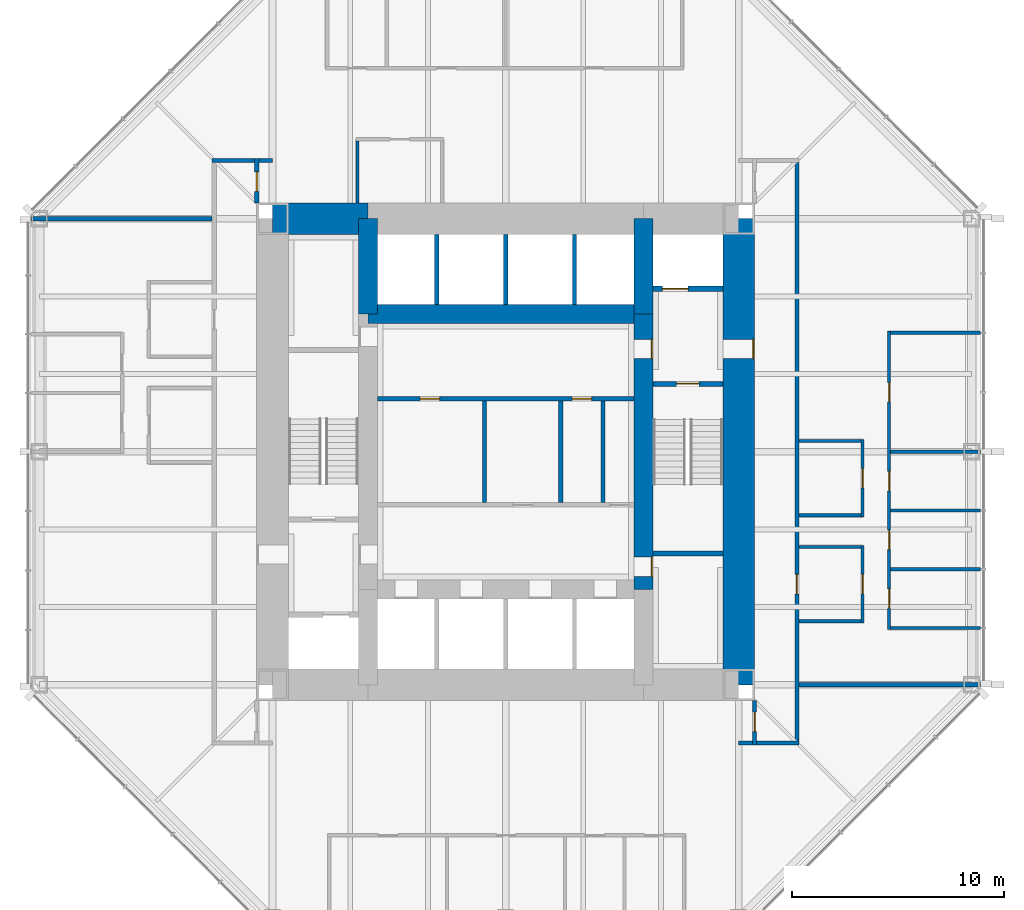
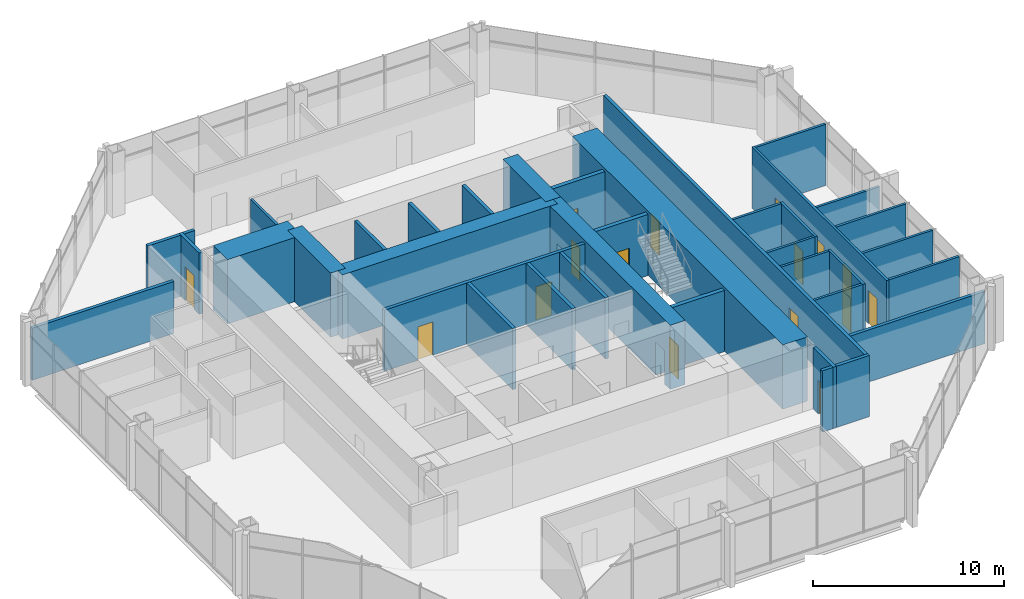
# One storey, part 10 of 12: 36 walls, 16 doors, 16 openings.
"""IFC4 building model written with IfcOpenShell, lengths in metres."""

from ifc_helpers import new_model, si_unit, direction, frame, frame_2d, origin, place, context, subcontext, project, spatial, rectangle, extrude, material, layer, layer_set, type_object, element, fill, save


model = new_model("IFC4")

# Units and contexts
model_context = context("Model", 3, precision=1e-05, world=origin(), true_north=direction((0.0, 1.0)))
body_context = subcontext(model_context, "Body", "Model", "MODEL_VIEW")
ifc_project = project(units=[si_unit("LENGTHUNIT", "METRE"), si_unit("AREAUNIT", "SQUARE_METRE"), si_unit("VOLUMEUNIT", "CUBIC_METRE"), si_unit("PLANEANGLEUNIT", "RADIAN"), si_unit("MASSUNIT", "GRAM", prefix="KILO")], contexts=[model_context])

# Site, building, storey
site_placement = place(None, origin())
site = spatial("IfcSite", under=ifc_project, at=site_placement, CompositionType="ELEMENT")
building_placement = place(site_placement, origin())
building = spatial("IfcBuilding", under=site, at=building_placement, Name="Trevanion Tower", CompositionType="ELEMENT")
storey_placement = place(building_placement, frame((0.0, 0.0, 145.89990234375)))
storey = spatial("IfcBuildingStorey", under=building, at=storey_placement, Name="L34", CompositionType="ELEMENT", Elevation=145.89990234375)

# Wall, opening, door
ifc_material_1 = material(Name="Concrete 10,000 psi", Category="concrete")
ifc_layer_1 = layer(ifc_material_1, 1.5)
ifc_layer_set_1 = layer_set([ifc_layer_1], Name="CW1 core wall 1500")
wall_type_1 = type_object("IfcWallType", Name="CW1 core wall 1500", PredefinedType="SHEAR", material=ifc_layer_set_1)
wall_1_placement = place(storey_placement, frame((11.0, -11.0, 0.0), z_axis=(0.0, 0.0, 1.0), x_axis=(0.0, 1.0, 0.0)))
wall_1 = element("IfcWall", 1, at=wall_1_placement, inside=storey, type_object=wall_type_1, Name="CW1 CE L34", PredefinedType="SHEAR", context=body_context, shape_type="SweptSolid", body=[
    extrude(rectangle(XDim=22.0, YDim=1.5, at=frame_2d((11.0, 0.0))), origin(), (0.0, 0.0, 1.0), 4.10009765625),
])
opening_1_placement = place(wall_1_placement, frame((15.392578125, 0.0, 0.0)))
opening_1 = element("IfcOpeningElement", 2, at=opening_1_placement, cuts=wall_1, Name="Opening 34-001", PredefinedType="OPENING", context=body_context, shape_type="SweptSolid", body=[
    extrude(rectangle(XDim=0.9150390625, YDim=2.134033203125, at=frame_2d((0.45751953125, 1.06689453125))), frame((0.0, 0.760009765625, 0.0), z_axis=(0.0, -1.0, 0.0), x_axis=(1.0, 0.0, 0.0)), (0.0, 0.0, 1.0), 1.52001953125),
])
ifc_material_2 = material(Name="Hollow metal, fire rated", Category="steel")
door_type_1 = type_object("IfcDoorType", Name="D3 fire lift lobby door", OperationType="SINGLE_SWING_RIGHT", PredefinedType="DOOR", material=ifc_material_2)
door_1_placement = place(opening_1_placement, origin())
door_1 = element("IfcDoor", 3, at=door_1_placement, inside=storey, type_object=door_type_1, Name="Door 34-001", OperationType="SINGLE_SWING_RIGHT", OverallHeight=2.134033203125, OverallWidth=0.9150390625, PredefinedType="DOOR", context=body_context, shape_type="SweptSolid", body=[
    extrude(rectangle(XDim=0.9150390625, YDim=2.134033203125, at=frame_2d((0.45751953125, 1.06689453125))), frame((0.0, -0.6748046875, 0.0), z_axis=(0.0, -1.0, 0.0), x_axis=(1.0, 0.0, 0.0)), (0.0, 0.0, 1.0), 0.050048828125),
])
fill(opening_1, door_1)

# Wall
wall_2_placement = place(storey_placement, frame((-6.5, 11.0, 0.0), z_axis=(0.0, 0.0, 1.0), x_axis=(-1.0, 0.0, 0.0)))
element("IfcWall", 4, at=wall_2_placement, inside=storey, type_object=wall_type_1, Name="CW1 CN3 L34", PredefinedType="SHEAR", context=body_context, shape_type="SweptSolid", body=[
    extrude(rectangle(XDim=4.5, YDim=1.5, at=frame_2d((2.25, 0.0))), origin(), (0.0, 0.0, 1.0), 4.10009765625),
])

# Wall, openings, doors
ifc_material_3 = material(Name="Concrete 10,000 psi", Category="concrete")
ifc_layer_2 = layer(ifc_material_3, 0.89990234375)
ifc_layer_set_2 = layer_set([ifc_layer_2], Name="CW2 core wall 900")
wall_type_2 = type_object("IfcWallType", Name="CW2 core wall 900", PredefinedType="SHEAR", material=ifc_layer_set_2)
wall_3_placement = place(storey_placement, frame((6.5, -6.5, 0.0), z_axis=(0.0, 0.0, 1.0), x_axis=(0.0, 1.0, 0.0)))
wall_3 = element("IfcWall", 5, at=wall_3_placement, inside=storey, type_object=wall_type_2, Name="CW2 RE2 L34", PredefinedType="SHEAR", context=body_context, shape_type="SweptSolid", body=[
    extrude(rectangle(XDim=13.0, YDim=0.89990234375, at=frame_2d((6.5, 0.0))), origin(), (0.0, 0.0, 1.0), 4.10009765625),
])
opening_2_placement = place(wall_3_placement, frame((10.892578125, 0.0, 0.0)))
opening_2 = element("IfcOpeningElement", 6, at=opening_2_placement, cuts=wall_3, Name="Opening 34-003", PredefinedType="OPENING", context=body_context, shape_type="SweptSolid", body=[
    extrude(rectangle(XDim=0.9150390625, YDim=2.134033203125, at=frame_2d((0.45751953125, 1.06689453125))), frame((0.0, 0.4599609375, 0.0), z_axis=(0.0, -1.0, 0.0), x_axis=(1.0, 0.0, 0.0)), (0.0, 0.0, 1.0), 0.919921875),
])
opening_3_placement = place(wall_3_placement, frame((0.610107421875, 0.0, 0.0)))
opening_3 = element("IfcOpeningElement", 7, at=opening_3_placement, cuts=wall_3, Name="Opening 34-009", PredefinedType="OPENING", context=body_context, shape_type="SweptSolid", body=[
    extrude(rectangle(XDim=0.9150390625, YDim=2.134033203125, at=frame_2d((0.45751953125, 1.06689453125))), frame((0.0, 0.4599609375, 0.0), z_axis=(0.0, -1.0, 0.0), x_axis=(1.0, 0.0, 0.0)), (0.0, 0.0, 1.0), 0.919921875),
])
door_2_placement = place(opening_2_placement, origin())
door_2 = element("IfcDoor", 8, at=door_2_placement, inside=storey, type_object=door_type_1, Name="Door 34-003", OperationType="SINGLE_SWING_RIGHT", OverallHeight=2.134033203125, OverallWidth=0.9150390625, PredefinedType="DOOR", context=body_context, shape_type="SweptSolid", body=[
    extrude(rectangle(XDim=0.9150390625, YDim=2.134033203125, at=frame_2d((0.45751953125, 1.06689453125))), frame((0.0, -0.375, 0.0), z_axis=(0.0, -1.0, 0.0), x_axis=(1.0, 0.0, 0.0)), (0.0, 0.0, 1.0), 0.050048828125),
])
fill(opening_2, door_2)
ifc_material_4 = material(Name="Hollow metal, fire rated", Category="steel")
door_type_2 = type_object("IfcDoorType", Name="D5 service room door", OperationType="SINGLE_SWING_RIGHT", PredefinedType="DOOR", material=ifc_material_4)
door_3_placement = place(opening_3_placement, origin())
door_3 = element("IfcDoor", 9, at=door_3_placement, inside=storey, type_object=door_type_2, Name="Door 34-009", OperationType="SINGLE_SWING_RIGHT", OverallHeight=2.134033203125, OverallWidth=0.9150390625, PredefinedType="DOOR", context=body_context, shape_type="SweptSolid", body=[
    extrude(rectangle(XDim=0.9150390625, YDim=2.134033203125, at=frame_2d((0.45751953125, 1.06689453125))), frame((0.0, -0.375, 0.0), z_axis=(0.0, -1.0, 0.0), x_axis=(1.0, 0.0, 0.0)), (0.0, 0.0, 1.0), 0.050048828125),
])
fill(opening_3, door_3)

# Walls
for number, where, z_axis, x_axis, name in (
    (10, (6.5, 6.5, 0.0), (0.0, 0.0, 1.0), (0.0, 1.0, 0.0), "CW2 RE3 L34"),
    (11, (-6.5, 11.0, 0.0), (0.0, 0.0, 1.0), (0.0, -1.0, 0.0), "CW2 RW1 L34"),
):
    element("IfcWall", number, at=place(storey_placement, frame(where, z_axis=z_axis, x_axis=x_axis)), inside=storey, type_object=wall_type_2, Name=name, PredefinedType="SHEAR", context=body_context, shape_type="SweptSolid", body=[
        extrude(rectangle(XDim=4.5, YDim=0.89990234375, at=frame_2d((2.25, 0.0))), origin(), (0.0, 0.0, 1.0), 4.10009765625),
    ])
wall_4_placement = place(storey_placement, frame((6.5, 6.5, 0.0), z_axis=(0.0, 0.0, 1.0), x_axis=(-1.0, 0.0, 0.0)))
element("IfcWall", 12, at=wall_4_placement, inside=storey, type_object=wall_type_2, Name="CW2 RN L34", PredefinedType="SHEAR", context=body_context, shape_type="SweptSolid", body=[
    extrude(rectangle(XDim=13.0, YDim=0.89990234375, at=frame_2d((6.5, 0.0))), origin(), (0.0, 0.0, 1.0), 4.10009765625),
])

# Wall, openings, doors
ifc_material_5 = material(Name="Gypsum board on steel studs", Category="steel")
ifc_layer_3 = layer(ifc_material_5, 0.14990234375)
ifc_layer_set_3 = layer_set([ifc_layer_3], Name="PT1 partition 150")
wall_type_3 = type_object("IfcWallType", Name="PT1 partition 150", PredefinedType="PARTITIONING", material=ifc_layer_set_3)
wall_5_placement = place(storey_placement, frame((18.10009765625, -8.39794921875, 0.0), z_axis=(0.0, 0.0, 1.0), x_axis=(0.0, 1.0, 0.0)))
wall_5 = element("IfcWall", 13, at=wall_5_placement, inside=storey, type_object=wall_type_3, Name="PT1 L34 FC0F", PredefinedType="PARTITIONING", context=body_context, shape_type="SweptSolid", body=[
    extrude(rectangle(XDim=14.0869140625, YDim=0.14990234375, at=frame_2d((7.04345703125, 0.0))), origin(), (0.0, 0.0, 1.0), 3.91015625),
])
opening_4_placement = place(wall_5_placement, frame((1.00439453125, 0.0, 0.0)))
opening_4 = element("IfcOpeningElement", 14, at=opening_4_placement, cuts=wall_5, Name="Opening 34-030", PredefinedType="OPENING", context=body_context, shape_type="SweptSolid", body=[
    extrude(rectangle(XDim=0.9150390625, YDim=2.134033203125, at=frame_2d((0.45751953125, 1.06689453125))), frame((0.0, 0.0849609375, 0.0), z_axis=(0.0, -1.0, 0.0), x_axis=(1.0, 0.0, 0.0)), (0.0, 0.0, 1.0), 0.169921875),
])
opening_5_placement = place(wall_5_placement, frame((3.778564453125, 0.0, 0.0)))
opening_5 = element("IfcOpeningElement", 15, at=opening_5_placement, cuts=wall_5, Name="Opening 34-031", PredefinedType="OPENING", context=body_context, shape_type="SweptSolid", body=[
    extrude(rectangle(XDim=0.9150390625, YDim=2.134033203125, at=frame_2d((0.45751953125, 1.06689453125))), frame((0.0, 0.0849609375, 0.0), z_axis=(0.0, -1.0, 0.0), x_axis=(1.0, 0.0, 0.0)), (0.0, 0.0, 1.0), 0.169921875),
])
opening_6_placement = place(wall_5_placement, frame((6.552978515625, 0.0, 0.0)))
opening_6 = element("IfcOpeningElement", 16, at=opening_6_placement, cuts=wall_5, Name="Opening 34-032", PredefinedType="OPENING", context=body_context, shape_type="SweptSolid", body=[
    extrude(rectangle(XDim=0.9150390625, YDim=2.134033203125, at=frame_2d((0.45751953125, 1.06689453125))), frame((0.0, 0.0849609375, 0.0), z_axis=(0.0, -1.0, 0.0), x_axis=(1.0, 0.0, 0.0)), (0.0, 0.0, 1.0), 0.169921875),
])
opening_7_placement = place(wall_5_placement, frame((10.74755859375, 0.0, 0.0)))
opening_7 = element("IfcOpeningElement", 17, at=opening_7_placement, cuts=wall_5, Name="Opening 34-033", PredefinedType="OPENING", context=body_context, shape_type="SweptSolid", body=[
    extrude(rectangle(XDim=0.9150390625, YDim=2.134033203125, at=frame_2d((0.45751953125, 1.06689453125))), frame((0.0, 0.0849609375, 0.0), z_axis=(0.0, -1.0, 0.0), x_axis=(1.0, 0.0, 0.0)), (0.0, 0.0, 1.0), 0.169921875),
])
ifc_material_6 = material(Name="Timber veneer, solid core", Category="wood")
door_type_3 = type_object("IfcDoorType", Name="D1 office and meeting room door", OperationType="SINGLE_SWING_LEFT", PredefinedType="DOOR", material=ifc_material_6)
door_4_placement = place(opening_4_placement, origin())
door_4 = element("IfcDoor", 18, at=door_4_placement, inside=storey, type_object=door_type_3, Name="Door 34-030", OperationType="SINGLE_SWING_LEFT", OverallHeight=2.134033203125, OverallWidth=0.9150390625, PredefinedType="DOOR", context=body_context, shape_type="SweptSolid", body=[
    extrude(rectangle(XDim=0.9150390625, YDim=2.134033203125, at=frame_2d((0.45751953125, 1.06689453125))), frame((0.0, 0.02490234375, 0.0), z_axis=(0.0, -1.0, 0.0), x_axis=(1.0, 0.0, 0.0)), (0.0, 0.0, 1.0), 0.050048828125),
])
fill(opening_4, door_4)
door_5_placement = place(opening_5_placement, origin())
door_5 = element("IfcDoor", 19, at=door_5_placement, inside=storey, type_object=door_type_3, Name="Door 34-031", OperationType="SINGLE_SWING_LEFT", OverallHeight=2.134033203125, OverallWidth=0.9150390625, PredefinedType="DOOR", context=body_context, shape_type="SweptSolid", body=[
    extrude(rectangle(XDim=0.9150390625, YDim=2.134033203125, at=frame_2d((0.45751953125, 1.06689453125))), frame((0.0, 0.02490234375, 0.0), z_axis=(0.0, -1.0, 0.0), x_axis=(1.0, 0.0, 0.0)), (0.0, 0.0, 1.0), 0.050048828125),
])
fill(opening_5, door_5)
door_6_placement = place(opening_6_placement, origin())
door_6 = element("IfcDoor", 20, at=door_6_placement, inside=storey, type_object=door_type_3, Name="Door 34-032", OperationType="SINGLE_SWING_LEFT", OverallHeight=2.134033203125, OverallWidth=0.9150390625, PredefinedType="DOOR", context=body_context, shape_type="SweptSolid", body=[
    extrude(rectangle(XDim=0.9150390625, YDim=2.134033203125, at=frame_2d((0.45751953125, 1.06689453125))), frame((0.0, 0.02490234375, 0.0), z_axis=(0.0, -1.0, 0.0), x_axis=(1.0, 0.0, 0.0)), (0.0, 0.0, 1.0), 0.050048828125),
])
fill(opening_6, door_6)
door_7_placement = place(opening_7_placement, origin())
door_7 = element("IfcDoor", 21, at=door_7_placement, inside=storey, type_object=door_type_3, Name="Door 34-033", OperationType="SINGLE_SWING_LEFT", OverallHeight=2.134033203125, OverallWidth=0.9150390625, PredefinedType="DOOR", context=body_context, shape_type="SweptSolid", body=[
    extrude(rectangle(XDim=0.9150390625, YDim=2.134033203125, at=frame_2d((0.45751953125, 1.06689453125))), frame((0.0, 0.02490234375, 0.0), z_axis=(0.0, -1.0, 0.0), x_axis=(1.0, 0.0, 0.0)), (0.0, 0.0, 1.0), 0.050048828125),
])
fill(opening_7, door_7)

# Walls
for number, where, z_axis, x_axis, name in (
    (22, (18.175048828125, -8.322998046875, 0.0), (0.0, 0.0, 1.0), (1.0, 0.0, 0.0), "PT1 L34 FC0S0"),
    (23, (18.175048828125, -5.549072265625, 0.0), (0.0, 0.0, 1.0), (1.0, 0.0, 0.0), "PT1 L34 FC0S1"),
    (24, (18.175048828125, -2.77490234375, 0.0), (0.0, 0.0, 1.0), (1.0, 0.0, 0.0), "PT1 L34 FC0S2"),
):
    element("IfcWall", number, at=place(storey_placement, frame(where, z_axis=z_axis, x_axis=x_axis)), inside=storey, type_object=wall_type_3, Name=name, PredefinedType="PARTITIONING", context=body_context, shape_type="SweptSolid", body=[
        extrude(rectangle(XDim=4.239990234375, YDim=0.14990234375, at=frame_2d((2.1201171875, 0.0))), origin(), (0.0, 0.0, 1.0), 3.91015625),
    ])
wall_6_placement = place(storey_placement, frame((18.175048828125, 0.0, 0.0), z_axis=(0.0, 0.0, 1.0), x_axis=(1.0, 0.0, 0.0)))
element("IfcWall", 25, at=wall_6_placement, inside=storey, type_object=wall_type_3, Name="PT1 L34 FC0S3", PredefinedType="PARTITIONING", context=body_context, shape_type="SweptSolid", body=[
    extrude(rectangle(XDim=4.239990234375, YDim=0.14990234375, at=frame_2d((2.1201171875, 0.0))), origin(), (0.0, 0.0, 1.0), 3.325927734375),
])
wall_7_placement = place(storey_placement, frame((18.175048828125, 5.614013671875, 0.0), z_axis=(0.0, 0.0, 1.0), x_axis=(1.0, 0.0, 0.0)))
element("IfcWall", 26, at=wall_7_placement, inside=storey, type_object=wall_type_3, Name="PT1 L34 FC0S5", PredefinedType="PARTITIONING", context=body_context, shape_type="SweptSolid", body=[
    extrude(rectangle(XDim=4.239990234375, YDim=0.14990234375, at=frame_2d((2.1201171875, 0.0))), origin(), (0.0, 0.0, 1.0), 3.91015625),
])

# Wall, opening, door
wall_8_placement = place(storey_placement, frame((16.85009765625, -8.074951171875, 0.0), z_axis=(0.0, 0.0, 1.0), x_axis=(0.0, 1.0, 0.0)))
wall_8 = element("IfcWall", 27, at=wall_8_placement, inside=storey, type_object=wall_type_3, Name="PT1 L34 IN00F", PredefinedType="PARTITIONING", context=body_context, shape_type="SweptSolid", body=[
    extrude(rectangle(XDim=3.64990234375, YDim=0.14990234375, at=frame_2d((1.824951171875, 0.0))), origin(), (0.0, 0.0, 1.0), 3.91015625),
])
opening_8_placement = place(wall_8_placement, frame((1.367431640625, 0.0, 0.0)))
opening_8 = element("IfcOpeningElement", 28, at=opening_8_placement, cuts=wall_8, Name="Opening 34-036", PredefinedType="OPENING", context=body_context, shape_type="SweptSolid", body=[
    extrude(rectangle(XDim=0.9150390625, YDim=2.134033203125, at=frame_2d((0.45751953125, 1.06689453125))), frame((0.0, 0.0849609375, 0.0), z_axis=(0.0, -1.0, 0.0), x_axis=(1.0, 0.0, 0.0)), (0.0, 0.0, 1.0), 0.169921875),
])
door_8_placement = place(opening_8_placement, origin())
door_8 = element("IfcDoor", 29, at=door_8_placement, inside=storey, type_object=door_type_3, Name="Door 34-036", OperationType="SINGLE_SWING_LEFT", OverallHeight=2.134033203125, OverallWidth=0.9150390625, PredefinedType="DOOR", context=body_context, shape_type="SweptSolid", body=[
    extrude(rectangle(XDim=0.9150390625, YDim=2.134033203125, at=frame_2d((0.45751953125, 1.06689453125))), frame((0.0, 0.02490234375, 0.0), z_axis=(0.0, -1.0, 0.0), x_axis=(1.0, 0.0, 0.0)), (0.0, 0.0, 1.0), 0.050048828125),
])
fill(opening_8, door_8)

# Walls
for number, where, z_axis, x_axis, name in (
    (30, (16.77490234375, -8.0, 0.0), (0.0, 0.0, 1.0), (-1.0, 0.0, 0.0), "PT1 L34 IN00S0"),
    (31, (16.77490234375, -4.5, 0.0), (0.0, 0.0, 1.0), (-1.0, 0.0, 0.0), "PT1 L34 IN00S1"),
):
    element("IfcWall", number, at=place(storey_placement, frame(where, z_axis=z_axis, x_axis=x_axis)), inside=storey, type_object=wall_type_3, Name=name, PredefinedType="PARTITIONING", context=body_context, shape_type="SweptSolid", body=[
        extrude(rectangle(XDim=2.9248046875, YDim=0.14990234375, at=frame_2d((1.46240234375, 0.0))), origin(), (0.0, 0.0, 1.0), 3.91015625),
    ])

# Wall, opening, door
wall_9_placement = place(storey_placement, frame((16.85009765625, -3.074951171875, 0.0), z_axis=(0.0, 0.0, 1.0), x_axis=(0.0, 1.0, 0.0)))
wall_9 = element("IfcWall", 32, at=wall_9_placement, inside=storey, type_object=wall_type_3, Name="PT1 L34 IN01F", PredefinedType="PARTITIONING", context=body_context, shape_type="SweptSolid", body=[
    extrude(rectangle(XDim=3.64990234375, YDim=0.14990234375, at=frame_2d((1.824951171875, 0.0))), origin(), (0.0, 0.0, 1.0), 3.91015625),
])
opening_9_placement = place(wall_9_placement, frame((1.367431640625, 0.0, 0.0)))
opening_9 = element("IfcOpeningElement", 33, at=opening_9_placement, cuts=wall_9, Name="Opening 34-038", PredefinedType="OPENING", context=body_context, shape_type="SweptSolid", body=[
    extrude(rectangle(XDim=0.9150390625, YDim=2.134033203125, at=frame_2d((0.45751953125, 1.06689453125))), frame((0.0, 0.0849609375, 0.0), z_axis=(0.0, -1.0, 0.0), x_axis=(1.0, 0.0, 0.0)), (0.0, 0.0, 1.0), 0.169921875),
])
door_9_placement = place(opening_9_placement, origin())
door_9 = element("IfcDoor", 34, at=door_9_placement, inside=storey, type_object=door_type_3, Name="Door 34-038", OperationType="SINGLE_SWING_LEFT", OverallHeight=2.134033203125, OverallWidth=0.9150390625, PredefinedType="DOOR", context=body_context, shape_type="SweptSolid", body=[
    extrude(rectangle(XDim=0.9150390625, YDim=2.134033203125, at=frame_2d((0.45751953125, 1.06689453125))), frame((0.0, 0.02490234375, 0.0), z_axis=(0.0, -1.0, 0.0), x_axis=(1.0, 0.0, 0.0)), (0.0, 0.0, 1.0), 0.050048828125),
])
fill(opening_9, door_9)

# Walls
for number, where, z_axis, x_axis, name in (
    (35, (16.77490234375, -3.0, 0.0), (0.0, 0.0, 1.0), (-1.0, 0.0, 0.0), "PT1 L34 IN01S0"),
    (36, (16.77490234375, 0.5, 0.0), (0.0, 0.0, 1.0), (-1.0, 0.0, 0.0), "PT1 L34 IN01S1"),
):
    element("IfcWall", number, at=place(storey_placement, frame(where, z_axis=z_axis, x_axis=x_axis)), inside=storey, type_object=wall_type_3, Name=name, PredefinedType="PARTITIONING", context=body_context, shape_type="SweptSolid", body=[
        extrude(rectangle(XDim=2.9248046875, YDim=0.14990234375, at=frame_2d((1.46240234375, 0.0))), origin(), (0.0, 0.0, 1.0), 3.91015625),
    ])
wall_10_placement = place(storey_placement, frame((-7.0, 14.675048828125, 0.0), z_axis=(0.0, 0.0, 1.0), x_axis=(0.0, -1.0, 0.0)))
element("IfcWall", 37, at=wall_10_placement, inside=storey, type_object=wall_type_3, Name="PT1 L34 IN10S1", PredefinedType="PARTITIONING", context=body_context, shape_type="SweptSolid", body=[
    extrude(rectangle(XDim=2.925048828125, YDim=0.14990234375, at=frame_2d((1.46240234375, 0.0))), origin(), (0.0, 0.0, 1.0), 3.91015625),
])
ifc_material_7 = material(Name="Concrete masonry, grouted", Category="masonry")
ifc_layer_4 = layer(ifc_material_7, 0.199951171875)
ifc_layer_set_4 = layer_set([ifc_layer_4], Name="PT2 partition 200")
wall_type_4 = type_object("IfcWallType", Name="PT2 partition 200", PredefinedType="PARTITIONING", material=ifc_layer_set_4)
for number, where, z_axis, x_axis, name in (
    (38, (-1.0, -2.39990234375, 0.0), (0.0, 0.0, 1.0), (0.0, 1.0, 0.0), "PT2 L34 TP1"),
    (39, (2.60009765625, -2.39990234375, 0.0), (0.0, 0.0, 1.0), (0.0, 1.0, 0.0), "PT2 L34 TP2"),
    (40, (4.60009765625, -2.39990234375, 0.0), (0.0, 0.0, 1.0), (0.0, 1.0, 0.0), "PT2 L34 TP3"),
):
    element("IfcWall", number, at=place(storey_placement, frame(where, z_axis=z_axis, x_axis=x_axis)), inside=storey, type_object=wall_type_4, Name=name, PredefinedType="PARTITIONING", context=body_context, shape_type="SweptSolid", body=[
        extrude(rectangle(XDim=4.7998046875, YDim=0.199951171875, at=frame_2d((2.39990234375, 0.0))), origin(), (0.0, 0.0, 1.0), 3.91015625),
    ])

# Wall, openings, doors
ifc_material_8 = material(Name="Concrete masonry, grouted", Category="masonry")
ifc_layer_5 = layer(ifc_material_8, 0.199951171875)
ifc_layer_set_5 = layer_set([ifc_layer_5], Name="PT2 partition 200 1 HR")
wall_type_5 = type_object("IfcWallType", Name="PT2 partition 200 1 HR", PredefinedType="PARTITIONING", material=ifc_layer_set_5)
wall_11_placement = place(storey_placement, frame((-6.050048828125, 2.5, 0.0), z_axis=(0.0, 0.0, 1.0), x_axis=(1.0, 0.0, 0.0)))
wall_11 = element("IfcWall", 41, at=wall_11_placement, inside=storey, type_object=wall_type_5, Name="PT2 L34 CP1", PredefinedType="PARTITIONING", context=body_context, shape_type="SweptSolid", body=[
    extrude(rectangle(XDim=12.10009765625, YDim=0.199951171875, at=frame_2d((6.050048828125, 0.0))), origin(), (0.0, 0.0, 1.0), 3.91015625),
])
opening_10_placement = place(wall_11_placement, frame((2.017578125, 0.0, 0.0)))
opening_10 = element("IfcOpeningElement", 42, at=opening_10_placement, cuts=wall_11, Name="Opening 34-015", PredefinedType="OPENING", context=body_context, shape_type="SweptSolid", body=[
    extrude(rectangle(XDim=0.9150390625, YDim=2.134033203125, at=frame_2d((0.45751953125, 1.06689453125))), frame((0.0, 0.10986328125, 0.0), z_axis=(0.0, -1.0, 0.0), x_axis=(1.0, 0.0, 0.0)), (0.0, 0.0, 1.0), 0.219970703125),
])
opening_11_placement = place(wall_11_placement, frame((9.1923828125, 0.0, 0.0)))
opening_11 = element("IfcOpeningElement", 43, at=opening_11_placement, cuts=wall_11, Name="Opening 34-017", PredefinedType="OPENING", context=body_context, shape_type="SweptSolid", body=[
    extrude(rectangle(XDim=0.9150390625, YDim=2.134033203125, at=frame_2d((0.45751953125, 1.06689453125))), frame((0.0, 0.10986328125, 0.0), z_axis=(0.0, -1.0, 0.0), x_axis=(1.0, 0.0, 0.0)), (0.0, 0.0, 1.0), 0.219970703125),
])
ifc_material_9 = material(Name="Plastic laminate on fire-rated core", Category="wood")
door_type_4 = type_object("IfcDoorType", Name="D12 toilet door in a one hour wall", OperationType="SINGLE_SWING_LEFT", PredefinedType="DOOR", material=ifc_material_9)
door_10_placement = place(opening_10_placement, origin())
door_10 = element("IfcDoor", 44, at=door_10_placement, inside=storey, type_object=door_type_4, Name="Door 34-015", OperationType="SINGLE_SWING_LEFT", OverallHeight=2.134033203125, OverallWidth=0.9150390625, PredefinedType="DOOR", context=body_context, shape_type="SweptSolid", body=[
    extrude(rectangle(XDim=0.9150390625, YDim=2.134033203125, at=frame_2d((0.45751953125, 1.06689453125))), frame((0.0, 0.02490234375, 0.0), z_axis=(0.0, -1.0, 0.0), x_axis=(1.0, 0.0, 0.0)), (0.0, 0.0, 1.0), 0.050048828125),
])
fill(opening_10, door_10)
door_11_placement = place(opening_11_placement, origin())
door_11 = element("IfcDoor", 45, at=door_11_placement, inside=storey, type_object=door_type_4, Name="Door 34-017", OperationType="SINGLE_SWING_LEFT", OverallHeight=2.134033203125, OverallWidth=0.9150390625, PredefinedType="DOOR", context=body_context, shape_type="SweptSolid", body=[
    extrude(rectangle(XDim=0.9150390625, YDim=2.134033203125, at=frame_2d((0.45751953125, 1.06689453125))), frame((0.0, 0.02490234375, 0.0), z_axis=(0.0, -1.0, 0.0), x_axis=(1.0, 0.0, 0.0)), (0.0, 0.0, 1.0), 0.050048828125),
])
fill(opening_11, door_11)

# Wall, opening, door
wall_12_placement = place(storey_placement, frame((13.75, -13.85009765625, 0.0), z_axis=(0.0, 0.0, 1.0), x_axis=(0.0, 1.0, 0.0)))
wall_12 = element("IfcWall", 46, at=wall_12_placement, inside=storey, type_object=wall_type_5, Name="PT2 L34 OC0", PredefinedType="PARTITIONING", context=body_context, shape_type="SweptSolid", body=[
    extrude(rectangle(XDim=27.5, YDim=0.199951171875, at=frame_2d((13.75, 0.0))), origin(), (0.0, 0.0, 1.0), 3.91015625),
])
opening_12_placement = place(wall_12_placement, frame((7.142578125, 0.0, 0.0)))
opening_12 = element("IfcOpeningElement", 47, at=opening_12_placement, cuts=wall_12, Name="Opening 34-037", PredefinedType="OPENING", context=body_context, shape_type="SweptSolid", body=[
    extrude(rectangle(XDim=0.9150390625, YDim=2.134033203125, at=frame_2d((0.45751953125, 1.06689453125))), frame((0.0, 0.10986328125, 0.0), z_axis=(0.0, -1.0, 0.0), x_axis=(1.0, 0.0, 0.0)), (0.0, 0.0, 1.0), 0.219970703125),
])
ifc_material_10 = material(Name="Timber veneer, fire rated", Category="wood")
door_type_5 = type_object("IfcDoorType", Name="D10 office door in a one hour wall", OperationType="SINGLE_SWING_LEFT", PredefinedType="DOOR", material=ifc_material_10)
door_12_placement = place(opening_12_placement, origin())
door_12 = element("IfcDoor", 48, at=door_12_placement, inside=storey, type_object=door_type_5, Name="Door 34-037", OperationType="SINGLE_SWING_LEFT", OverallHeight=2.134033203125, OverallWidth=0.9150390625, PredefinedType="DOOR", context=body_context, shape_type="SweptSolid", body=[
    extrude(rectangle(XDim=0.9150390625, YDim=2.134033203125, at=frame_2d((0.45751953125, 1.06689453125))), frame((0.0, 0.02490234375, 0.0), z_axis=(0.0, -1.0, 0.0), x_axis=(1.0, 0.0, 0.0)), (0.0, 0.0, 1.0), 0.050048828125),
])
fill(opening_12, door_12)

wall_13_placement = place(storey_placement, frame((-11.75, 11.75, 0.0), z_axis=(0.0, 0.0, 1.0), x_axis=(0.0, 1.0, 0.0)))
wall_13 = element("IfcWall", 49, at=wall_13_placement, inside=storey, type_object=wall_type_5, Name="PT2 L34 OUNW1", PredefinedType="PARTITIONING", context=body_context, shape_type="SweptSolid", body=[
    extrude(rectangle(XDim=2.10009765625, YDim=0.199951171875, at=frame_2d((1.050048828125, 0.0))), origin(), (0.0, 0.0, 1.0), 3.91015625),
])
opening_13_placement = place(wall_13_placement, frame((0.54248046875, 0.0, 0.0)))
opening_13 = element("IfcOpeningElement", 50, at=opening_13_placement, cuts=wall_13, Name="Opening 34-020", PredefinedType="OPENING", context=body_context, shape_type="SweptSolid", body=[
    extrude(rectangle(XDim=0.9150390625, YDim=2.134033203125, at=frame_2d((0.45751953125, 1.06689453125))), frame((0.0, 0.10986328125, 0.0), z_axis=(0.0, -1.0, 0.0), x_axis=(1.0, 0.0, 0.0)), (0.0, 0.0, 1.0), 0.219970703125),
])
door_13_placement = place(opening_13_placement, origin())
door_13 = element("IfcDoor", 51, at=door_13_placement, inside=storey, type_object=door_type_5, Name="Door 34-020", OperationType="SINGLE_SWING_LEFT", OverallHeight=2.134033203125, OverallWidth=0.9150390625, PredefinedType="DOOR", context=body_context, shape_type="SweptSolid", body=[
    extrude(rectangle(XDim=0.9150390625, YDim=2.134033203125, at=frame_2d((0.45751953125, 1.06689453125))), frame((0.0, 0.02490234375, 0.0), z_axis=(0.0, -1.0, 0.0), x_axis=(1.0, 0.0, 0.0)), (0.0, 0.0, 1.0), 0.050048828125),
])
fill(opening_13, door_13)

# Wall
wall_14_placement = place(storey_placement, frame((-11.0, 13.75, 0.0), z_axis=(0.0, 0.0, 1.0), x_axis=(-1.0, 0.0, 0.0)))
element("IfcWall", 52, at=wall_14_placement, inside=storey, type_object=wall_type_5, Name="PT2 L34 OUNW2", PredefinedType="PARTITIONING", context=body_context, shape_type="SweptSolid", body=[
    extrude(rectangle(XDim=2.85009765625, YDim=0.199951171875, at=frame_2d((1.425048828125, 0.0))), origin(), (0.0, 0.0, 1.0), 3.91015625),
])

# Wall, opening, door
wall_15_placement = place(storey_placement, frame((11.75, -11.75, 0.0), z_axis=(0.0, 0.0, 1.0), x_axis=(0.0, -1.0, 0.0)))
wall_15 = element("IfcWall", 53, at=wall_15_placement, inside=storey, type_object=wall_type_5, Name="PT2 L34 OUSE1", PredefinedType="PARTITIONING", context=body_context, shape_type="SweptSolid", body=[
    extrude(rectangle(XDim=2.10009765625, YDim=0.199951171875, at=frame_2d((1.050048828125, 0.0))), origin(), (0.0, 0.0, 1.0), 3.91015625),
])
opening_14_placement = place(wall_15_placement, frame((0.54248046875, 0.0, 0.0)))
opening_14 = element("IfcOpeningElement", 54, at=opening_14_placement, cuts=wall_15, Name="Opening 34-021", PredefinedType="OPENING", context=body_context, shape_type="SweptSolid", body=[
    extrude(rectangle(XDim=0.9150390625, YDim=2.134033203125, at=frame_2d((0.45751953125, 1.06689453125))), frame((0.0, 0.10986328125, 0.0), z_axis=(0.0, -1.0, 0.0), x_axis=(1.0, 0.0, 0.0)), (0.0, 0.0, 1.0), 0.219970703125),
])
door_14_placement = place(opening_14_placement, origin())
door_14 = element("IfcDoor", 55, at=door_14_placement, inside=storey, type_object=door_type_5, Name="Door 34-021", OperationType="SINGLE_SWING_LEFT", OverallHeight=2.134033203125, OverallWidth=0.9150390625, PredefinedType="DOOR", context=body_context, shape_type="SweptSolid", body=[
    extrude(rectangle(XDim=0.9150390625, YDim=2.134033203125, at=frame_2d((0.45751953125, 1.06689453125))), frame((0.0, 0.02490234375, 0.0), z_axis=(0.0, -1.0, 0.0), x_axis=(1.0, 0.0, 0.0)), (0.0, 0.0, 1.0), 0.050048828125),
])
fill(opening_14, door_14)

# Walls
wall_16_placement = place(storey_placement, frame((11.0, -13.75, 0.0), z_axis=(0.0, 0.0, 1.0), x_axis=(1.0, 0.0, 0.0)))
element("IfcWall", 56, at=wall_16_placement, inside=storey, type_object=wall_type_5, Name="PT2 L34 OUSE2", PredefinedType="PARTITIONING", context=body_context, shape_type="SweptSolid", body=[
    extrude(rectangle(XDim=2.85009765625, YDim=0.199951171875, at=frame_2d((1.425048828125, 0.0))), origin(), (0.0, 0.0, 1.0), 3.91015625),
])
for number, where, z_axis, x_axis, name in (
    (57, (-13.85009765625, 11.0, 0.0), (0.0, 0.0, 1.0), (-1.0, 0.0, 0.0), "PT2 L34 DM1"),
    (58, (13.85009765625, -11.0, 0.0), (0.0, 0.0, 1.0), (1.0, 0.0, 0.0), "PT2 L34 DM3"),
):
    element("IfcWall", number, at=place(storey_placement, frame(where, z_axis=z_axis, x_axis=x_axis)), inside=storey, type_object=wall_type_5, Name=name, PredefinedType="PARTITIONING", context=body_context, shape_type="SweptSolid", body=[
        extrude(rectangle(XDim=8.56494140625, YDim=0.199951171875, at=frame_2d((4.282470703125, 0.0))), origin(), (0.0, 0.0, 1.0), 3.325927734375),
    ])
ifc_material_11 = material(Name="Concrete masonry, grouted", Category="masonry")
ifc_layer_6 = layer(ifc_material_11, 0.199951171875)
ifc_layer_set_6 = layer_set([ifc_layer_6], Name="PT2 partition 200 2 HR")
wall_type_6 = type_object("IfcWallType", Name="PT2 partition 200 2 HR", PredefinedType="PARTITIONING", material=ifc_layer_set_6)
for number, where, z_axis, x_axis, name in (
    (59, (-3.25, 6.949951171875, 0.0), (0.0, 0.0, 1.0), (0.0, 1.0, 0.0), "PT2 L34 NS0"),
    (60, (0.0, 6.949951171875, 0.0), (0.0, 0.0, 1.0), (0.0, 1.0, 0.0), "PT2 L34 NS1"),
    (61, (3.25, 6.949951171875, 0.0), (0.0, 0.0, 1.0), (0.0, 1.0, 0.0), "PT2 L34 NS2"),
):
    element("IfcWall", number, at=place(storey_placement, frame(where, z_axis=z_axis, x_axis=x_axis)), inside=storey, type_object=wall_type_6, Name=name, PredefinedType="PARTITIONING", context=body_context, shape_type="SweptSolid", body=[
        extrude(rectangle(XDim=3.300048828125, YDim=0.199951171875, at=frame_2d((1.64990234375, 0.0))), origin(), (0.0, 0.0, 1.0), 3.91015625),
    ])

# Wall, opening, door
ifc_material_12 = material(Name="Concrete masonry, grouted, two-hour", Category="masonry")
ifc_layer_7 = layer(ifc_material_12, 0.25)
ifc_layer_set_7 = layer_set([ifc_layer_7], Name="PT3 partition 250 2 HR")
wall_type_7 = type_object("IfcWallType", Name="PT3 partition 250 2 HR", PredefinedType="PARTITIONING", material=ifc_layer_set_7)
wall_17_placement = place(storey_placement, frame((6.949951171875, 7.699951171875, 0.0), z_axis=(0.0, 0.0, 1.0), x_axis=(1.0, 0.0, 0.0)))
wall_17 = element("IfcWall", 62, at=wall_17_placement, inside=storey, type_object=wall_type_7, Name="PT3 L34 EP3", PredefinedType="PARTITIONING", context=body_context, shape_type="SweptSolid", body=[
    extrude(rectangle(XDim=3.300048828125, YDim=0.25, at=frame_2d((1.64990234375, 0.0))), origin(), (0.0, 0.0, 1.0), 3.91015625),
])
opening_15_placement = place(wall_17_placement, frame((0.449951171875, 0.0, 0.0)))
opening_15 = element("IfcOpeningElement", 63, at=opening_15_placement, cuts=wall_17, Name="Opening 34-007", PredefinedType="OPENING", context=body_context, shape_type="SweptSolid", body=[
    extrude(rectangle(XDim=1.218994140625, YDim=2.134033203125, at=frame_2d((0.609375, 1.06689453125))), frame((0.0, 0.135009765625, 0.0), z_axis=(0.0, -1.0, 0.0), x_axis=(1.0, 0.0, 0.0)), (0.0, 0.0, 1.0), 0.27001953125),
])
ifc_material_13 = material(Name="Stainless steel, fire rated", Category="steel")
door_type_6 = type_object("IfcDoorType", Name="LD2 fire service lift landing door", OperationType="SLIDING_TO_LEFT", PredefinedType="DOOR", material=ifc_material_13)
door_15_placement = place(opening_15_placement, origin())
door_15 = element("IfcDoor", 64, at=door_15_placement, inside=storey, type_object=door_type_6, Name="Door 34-007", OperationType="SLIDING_TO_LEFT", OverallHeight=2.134033203125, OverallWidth=1.218994140625, PredefinedType="DOOR", context=body_context, shape_type="SweptSolid", body=[
    extrude(rectangle(XDim=1.218994140625, YDim=2.134033203125, at=frame_2d((0.609375, 1.06689453125))), frame((0.0, 0.02490234375, 0.0), z_axis=(0.0, -1.0, 0.0), x_axis=(1.0, 0.0, 0.0)), (0.0, 0.0, 1.0), 0.050048828125),
])
fill(opening_15, door_15)

# Wall
ifc_material_14 = material(Name="Reinforced masonry, fully grouted", Category="masonry")
ifc_layer_8 = layer(ifc_material_14, 0.25)
ifc_layer_set_8 = layer_set([ifc_layer_8], Name="SW1 stair shaft wall 250")
wall_type_8 = type_object("IfcWallType", Name="SW1 stair shaft wall 250", PredefinedType="SOLIDWALL", material=ifc_layer_set_8)
wall_18_placement = place(storey_placement, frame((6.949951171875, -4.800048828125, 0.0), z_axis=(0.0, 0.0, 1.0), x_axis=(1.0, 0.0, 0.0)))
element("IfcWall", 65, at=wall_18_placement, inside=storey, type_object=wall_type_8, Name="SW1 L34 EP1", PredefinedType="SOLIDWALL", context=body_context, shape_type="SweptSolid", body=[
    extrude(rectangle(XDim=3.300048828125, YDim=0.25, at=frame_2d((1.64990234375, 0.0))), origin(), (0.0, 0.0, 1.0), 3.91015625),
])

# Wall, opening, door
wall_19_placement = place(storey_placement, frame((6.949951171875, 3.199951171875, 0.0), z_axis=(0.0, 0.0, 1.0), x_axis=(1.0, 0.0, 0.0)))
wall_19 = element("IfcWall", 66, at=wall_19_placement, inside=storey, type_object=wall_type_8, Name="SW1 L34 EP2", PredefinedType="SOLIDWALL", context=body_context, shape_type="SweptSolid", body=[
    extrude(rectangle(XDim=3.300048828125, YDim=0.25, at=frame_2d((1.64990234375, 0.0))), origin(), (0.0, 0.0, 1.0), 3.91015625),
])
opening_16_placement = place(wall_19_placement, frame((1.116455078125, 0.0, 0.0)))
opening_16 = element("IfcOpeningElement", 67, at=opening_16_placement, cuts=wall_19, Name="Opening 34-005", PredefinedType="OPENING", context=body_context, shape_type="SweptSolid", body=[
    extrude(rectangle(XDim=1.06689453125, YDim=2.134033203125, at=frame_2d((0.533447265625, 1.06689453125))), frame((0.0, 0.135009765625, 0.0), z_axis=(0.0, -1.0, 0.0), x_axis=(1.0, 0.0, 0.0)), (0.0, 0.0, 1.0), 0.27001953125),
])
ifc_material_15 = material(Name="Hollow metal, fire rated", Category="steel")
door_type_7 = type_object("IfcDoorType", Name="D2 exit stair door", OperationType="SINGLE_SWING_LEFT", PredefinedType="DOOR", material=ifc_material_15)
door_16_placement = place(opening_16_placement, origin())
door_16 = element("IfcDoor", 68, at=door_16_placement, inside=storey, type_object=door_type_7, Name="Door 34-005", OperationType="SINGLE_SWING_LEFT", OverallHeight=2.134033203125, OverallWidth=1.06689453125, PredefinedType="DOOR", context=body_context, shape_type="SweptSolid", body=[
    extrude(rectangle(XDim=1.06689453125, YDim=2.134033203125, at=frame_2d((0.533447265625, 1.06689453125))), frame((0.0, 0.02490234375, 0.0), z_axis=(0.0, -1.0, 0.0), x_axis=(1.0, 0.0, 0.0)), (0.0, 0.0, 1.0), 0.050048828125),
])
fill(opening_16, door_16)

save(model, "model.ifc")
